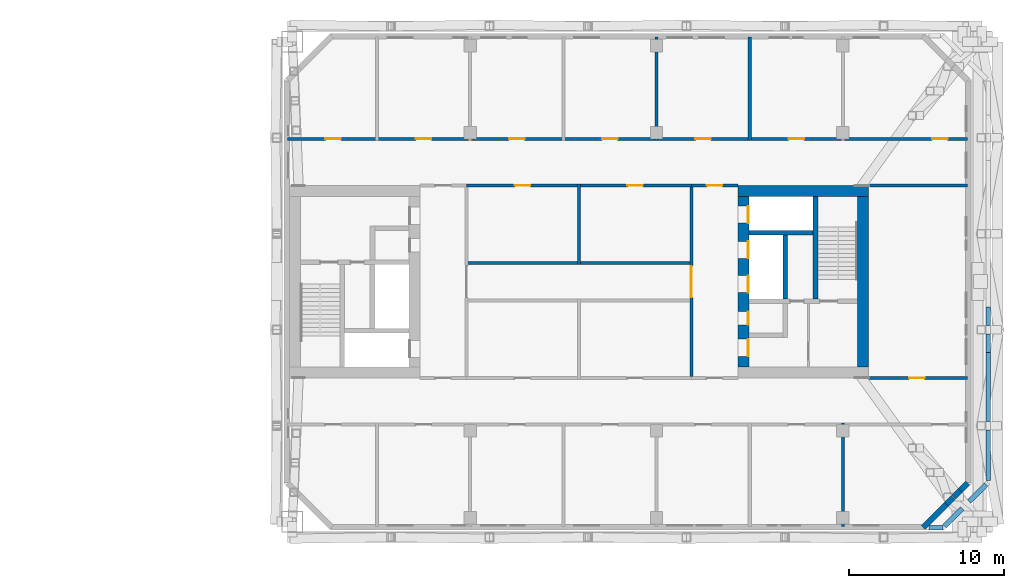
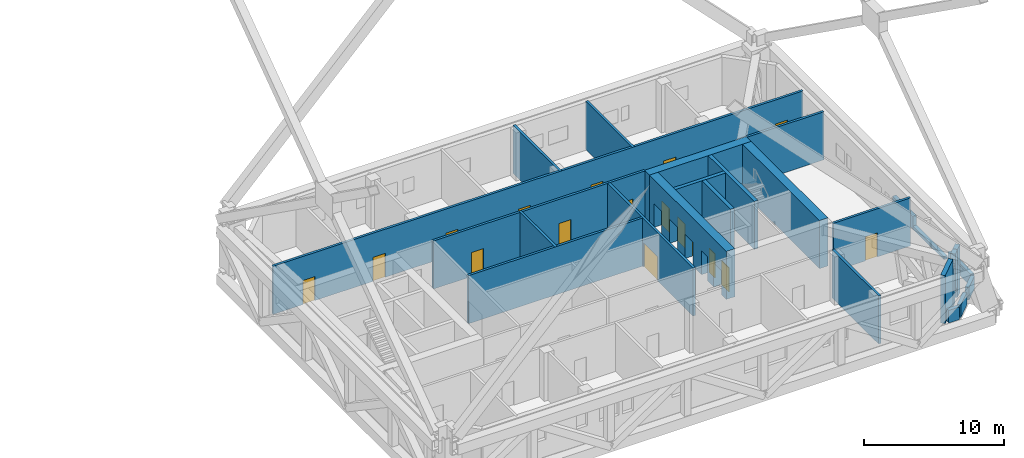
# One storey, part 13 of 20: 28 walls, 17 doors, 17 openings.
"""IFC4 building model written with IfcOpenShell, lengths in metres."""

from ifc_helpers import new_model, si_unit, direction, frame, frame_2d, origin, place, context, subcontext, project, spatial, rectangle, extrude, material, layer, layer_set, type_object, element, fill, save


model = new_model("IFC4")

# Units and contexts
model_context = context("Model", 3, precision=1e-05, world=origin(), true_north=direction((0.0, 1.0)))
body_context = subcontext(model_context, "Body", "Model", "MODEL_VIEW")
ifc_project = project(units=[si_unit("LENGTHUNIT", "METRE"), si_unit("AREAUNIT", "SQUARE_METRE"), si_unit("VOLUMEUNIT", "CUBIC_METRE"), si_unit("PLANEANGLEUNIT", "RADIAN"), si_unit("MASSUNIT", "GRAM", prefix="KILO")], contexts=[model_context])

# Site, building, storey
site_placement = place(None, origin())
site = spatial("IfcSite", under=ifc_project, at=site_placement, CompositionType="ELEMENT")
building_placement = place(site_placement, origin())
building = spatial("IfcBuilding", under=site, at=building_placement, Name="Tuart Gate Housing", CompositionType="ELEMENT")
storey_placement = place(building_placement, frame((0.0, 0.0, 62.89990234375)))
storey = spatial("IfcBuildingStorey", under=building, at=storey_placement, Name="L17", CompositionType="ELEMENT", Elevation=62.89990234375)

# Walls
ifc_material_1 = material(Name="Brick", Category="masonry")
ifc_layer_1 = layer(ifc_material_1, 0.300048828125)
ifc_layer_set_1 = layer_set([ifc_layer_1], Name="Brick parapet wall 300")
wall_type_1 = type_object("IfcWallType", Name="Brick parapet wall 300", PredefinedType="PARAPET", material=ifc_layer_set_1)
wall_1_placement = place(storey_placement, frame((172.550048828125, 54.14990234375, 0.0), z_axis=(0.0, 0.0, 1.0), x_axis=(1.0, 0.0, 0.0)))
element("IfcWall", 1, at=wall_1_placement, inside=storey, type_object=wall_type_1, Name="Roof parapet B 1", PredefinedType="PARAPET", context=body_context, shape_type="SweptSolid", body=[
    extrude(rectangle(XDim=0.887939453125, YDim=0.300048828125, at=frame_2d((0.44384765625, 0.0))), origin(), (0.0, 0.0, 1.0), 1.10009765625),
])
wall_2_placement = place(storey_placement, frame((173.54541015625, 54.257568359375, 0.0), z_axis=(0.0, 0.0, 1.0), x_axis=(0.707106781187, 0.707106781187, 0.0)))
element("IfcWall", 2, at=wall_2_placement, inside=storey, type_object=wall_type_1, Name="Roof parapet B 2", PredefinedType="PARAPET", context=body_context, shape_type="SweptSolid", body=[
    extrude(rectangle(XDim=1.6220703125, YDim=0.300048828125, at=frame_2d((0.81103515625, 0.0))), origin(), (0.0, 0.0, 1.0), 1.10009765625),
])
wall_3_placement = place(storey_placement, frame((175.140625, 55.852783203125, 0.0), z_axis=(0.0, 0.0, 1.0), x_axis=(0.70702751357, 0.707186039918, 0.0)))
element("IfcWall", 3, at=wall_3_placement, inside=storey, type_object=wall_type_1, Name="Roof parapet B 2", PredefinedType="PARAPET", context=body_context, shape_type="SweptSolid", body=[
    extrude(rectangle(XDim=1.5400390625, YDim=0.300048828125, at=frame_2d((0.77001953125, 0.0))), origin(), (0.0, 0.0, 1.0), 1.10009765625),
])
wall_4_placement = place(storey_placement, frame((176.35009765625, 57.214111328125, 0.0), z_axis=(0.0, 0.0, 1.0), x_axis=(0.0, 1.0, 0.0)))
element("IfcWall", 4, at=wall_4_placement, inside=storey, type_object=wall_type_1, Name="Roof parapet B 3", PredefinedType="PARAPET", context=body_context, shape_type="SweptSolid", body=[
    extrude(rectangle(XDim=3.23291015625, YDim=0.300048828125, at=frame_2d((1.616455078125, 0.0))), origin(), (0.0, 0.0, 1.0), 1.0361328125),
])
wall_5_placement = place(storey_placement, frame((176.35009765625, 61.012939453125, 0.0), z_axis=(0.0, 0.0, 1.0), x_axis=(0.0, 1.0, 0.0)))
element("IfcWall", 5, at=wall_5_placement, inside=storey, type_object=wall_type_1, Name="Roof parapet B 3", PredefinedType="PARAPET", context=body_context, shape_type="SweptSolid", body=[
    extrude(rectangle(XDim=4.42822265625, YDim=0.300048828125, at=frame_2d((2.214111328125, 0.0))), origin(), (0.0, 0.0, 1.0), 0.260009765625),
])
for number, where, z_axis, x_axis, name in (
    (6, (176.35009765625, 65.441162109375, 0.0), (0.0, 0.0, 1.0), (0.0, 1.0, 0.0), "Roof parapet B 3"),
    (7, (176.35009765625, 67.193115234375, 0.0), (0.0, 0.0, 1.0), (0.0, 1.0, 0.0), "Roof parapet B 3"),
):
    element("IfcWall", number, at=place(storey_placement, frame(where, z_axis=z_axis, x_axis=x_axis)), inside=storey, type_object=wall_type_1, Name=name, PredefinedType="PARAPET", context=body_context, shape_type="SweptSolid", body=[
        extrude(rectangle(XDim=1.185791015625, YDim=0.300048828125, at=frame_2d((0.5927734375, 0.0))), origin(), (0.0, 0.0, 1.0), 1.10009765625),
    ])
ifc_material_2 = material(Name="Brick", Category="masonry")
ifc_layer_2 = layer(ifc_material_2, 0.360107421875)
ifc_layer_set_2 = layer_set([ifc_layer_2], Name="Brick pier and spandrel wall 360")
wall_type_2 = type_object("IfcWallType", Name="Brick pier and spandrel wall 360", PredefinedType="STANDARD", material=ifc_layer_set_2)
wall_6_placement = place(storey_placement, frame((172.17529296875, 54.179931640625, 0.0), z_axis=(0.0, 0.0, 1.0), x_axis=(0.707106781187, 0.707106781187, 0.0)))
element("IfcWall", 8, at=wall_6_placement, inside=storey, type_object=wall_type_2, Name="External wall B-SE L17", PredefinedType="STANDARD", context=body_context, shape_type="SweptSolid", body=[
    extrude(rectangle(XDim=2.122314453125, YDim=0.360107421875, at=frame_2d((1.06103515625, 0.0))), origin(), (0.0, 0.0, 1.0), 4.2001953125),
])
wall_7_placement = place(storey_placement, frame((173.676025390625, 55.6806640625, 0.0), z_axis=(0.0, 0.0, 1.0), x_axis=(0.707106781187, 0.707106781187, 0.0)))
element("IfcWall", 9, at=wall_7_placement, inside=storey, type_object=wall_type_2, Name="External wall B-SE L17", PredefinedType="STANDARD", context=body_context, shape_type="SweptSolid", body=[
    extrude(rectangle(XDim=0.61328125, YDim=0.360107421875, at=frame_2d((0.306640625, 0.0))), origin(), (0.0, 0.0, 1.0), 3.397216796875),
])
wall_8_placement = place(storey_placement, frame((174.143798828125, 56.148193359375, 0.953125), z_axis=(0.0, 0.0, 1.0), x_axis=(0.706900055054, 0.707313446899, 0.0)))
element("IfcWall", 10, at=wall_8_placement, inside=storey, type_object=wall_type_2, Name="External wall B-SE L17", PredefinedType="STANDARD", context=body_context, shape_type="SweptSolid", body=[
    extrude(rectangle(XDim=0.590576171875, YDim=0.360107421875, at=frame_2d((0.29541015625, 0.0))), origin(), (0.0, 0.0, 1.0), 3.2470703125),
])
wall_9_placement = place(storey_placement, frame((174.561279296875, 56.56591796875, 0.0), z_axis=(0.0, 0.0, 1.0), x_axis=(0.707106781187, 0.707106781187, 0.0)))
element("IfcWall", 11, at=wall_9_placement, inside=storey, type_object=wall_type_2, Name="External wall B-SE L17", PredefinedType="STANDARD", context=body_context, shape_type="SweptSolid", body=[
    extrude(rectangle(XDim=0.66943359375, YDim=0.360107421875, at=frame_2d((0.334716796875, 0.0))), origin(), (0.0, 0.0, 1.0), 4.2001953125),
])
ifc_material_3 = material(Name="Concrete C50", Category="concrete")
ifc_layer_3 = layer(ifc_material_3, 0.300048828125)
ifc_layer_set_3 = layer_set([ifc_layer_3], Name="Core wall 300 C50")
wall_type_3 = type_object("IfcWallType", Name="Core wall 300 C50", PredefinedType="SHEAR", material=ifc_layer_set_3)
wall_10_placement = place(storey_placement, frame((160.93994140625, 73.14990234375, 0.0), z_axis=(0.0, 0.0, 1.0), x_axis=(1.0, 0.0, 0.0)))
element("IfcWall", 12, at=wall_10_placement, inside=storey, type_object=wall_type_3, Name="Core wall BK.1", PredefinedType="SHEAR", context=body_context, shape_type="SweptSolid", body=[
    extrude(rectangle(XDim=4.150146484375, YDim=0.300048828125, at=frame_2d((2.0751953125, 0.0))), origin(), (0.0, 0.0, 1.0), 4.2001953125),
])
wall_11_placement = place(storey_placement, frame((163.2900390625, 73.0, 0.0), z_axis=(0.0, 0.0, 1.0), x_axis=(0.0, -1.0, 0.0)))
element("IfcWall", 13, at=wall_11_placement, inside=storey, type_object=wall_type_3, Name="Core wall BK.4", PredefinedType="SHEAR", context=body_context, shape_type="SweptSolid", body=[
    extrude(rectangle(XDim=4.10009765625, YDim=0.300048828125, at=frame_2d((2.050048828125, 0.0))), origin(), (0.0, 0.0, 1.0), 4.2001953125),
])
wall_12_placement = place(storey_placement, frame((165.239990234375, 75.5, 0.0), z_axis=(0.0, 0.0, 1.0), x_axis=(0.0, -1.0, 0.0)))
element("IfcWall", 14, at=wall_12_placement, inside=storey, type_object=wall_type_3, Name="Core wall BK.7", PredefinedType="SHEAR", context=body_context, shape_type="SweptSolid", body=[
    extrude(rectangle(XDim=6.60009765625, YDim=0.300048828125, at=frame_2d((3.300048828125, 0.0))), origin(), (0.0, 0.0, 1.0), 4.2001953125),
])

# Wall, openings, doors
ifc_material_4 = material(Name="Concrete C50", Category="concrete")
ifc_layer_4 = layer(ifc_material_4, 0.699951171875)
ifc_layer_set_4 = layer_set([ifc_layer_4], Name="Core wall 700 C50")
wall_type_4 = type_object("IfcWallType", Name="Core wall 700 C50", PredefinedType="SHEAR", material=ifc_layer_set_4)
wall_13_placement = place(storey_placement, frame((160.590087890625, 75.5, 0.0), z_axis=(0.0, 0.0, 1.0), x_axis=(0.0, -1.0, 0.0)))
wall_13 = element("IfcWall", 15, at=wall_13_placement, inside=storey, type_object=wall_type_4, Name="Core wall BK front", PredefinedType="SHEAR", context=body_context, shape_type="SweptSolid", body=[
    extrude(rectangle(XDim=11.0, YDim=0.699951171875, at=frame_2d((5.5, 0.0))), origin(), (0.0, 0.0, 1.0), 4.2001953125),
])
opening_1_placement = place(wall_13_placement, frame((0.625, 0.0, 0.0)))
opening_1 = element("IfcOpeningElement", 16, at=opening_1_placement, cuts=wall_13, Name="Opening LD-FB2", PredefinedType="OPENING", context=body_context, shape_type="SweptSolid", body=[
    extrude(rectangle(XDim=1.10009765625, YDim=2.10009765625, at=frame_2d((0.550048828125, 1.050048828125))), frame((0.0, 0.35986328125, 0.0), z_axis=(0.0, -1.0, 0.0), x_axis=(1.0, 0.0, 0.0)), (0.0, 0.0, 1.0), 0.719970703125),
])
opening_2_placement = place(wall_13_placement, frame((2.89990234375, 0.0, 0.0)))
opening_2 = element("IfcOpeningElement", 17, at=opening_2_placement, cuts=wall_13, Name="Opening LD-LB3", PredefinedType="OPENING", context=body_context, shape_type="SweptSolid", body=[
    extrude(rectangle(XDim=1.10009765625, YDim=2.10009765625, at=frame_2d((0.550048828125, 1.050048828125))), frame((0.0, 0.35986328125, 0.0), z_axis=(0.0, -1.0, 0.0), x_axis=(1.0, 0.0, 0.0)), (0.0, 0.0, 1.0), 0.719970703125),
])
opening_3_placement = place(wall_13_placement, frame((5.10009765625, 0.0, 0.0)))
opening_3 = element("IfcOpeningElement", 18, at=opening_3_placement, cuts=wall_13, Name="Opening LD-LB4", PredefinedType="OPENING", context=body_context, shape_type="SweptSolid", body=[
    extrude(rectangle(XDim=1.10009765625, YDim=2.10009765625, at=frame_2d((0.550048828125, 1.050048828125))), frame((0.0, 0.35986328125, 0.0), z_axis=(0.0, -1.0, 0.0), x_axis=(1.0, 0.0, 0.0)), (0.0, 0.0, 1.0), 0.719970703125),
])
opening_4_placement = place(wall_13_placement, frame((9.199951171875, 0.0, 0.0)))
opening_4 = element("IfcOpeningElement", 19, at=opening_4_placement, cuts=wall_13, Name="Opening D3359", PredefinedType="OPENING", context=body_context, shape_type="SweptSolid", body=[
    extrude(rectangle(XDim=1.10009765625, YDim=2.10009765625, at=frame_2d((0.550048828125, 1.050048828125))), frame((0.0, 0.35986328125, 0.0), z_axis=(0.0, -1.0, 0.0), x_axis=(1.0, 0.0, 0.0)), (0.0, 0.0, 1.0), 0.719970703125),
])
opening_5_placement = place(wall_13_placement, frame((7.425048828125, 0.0, 0.0)))
opening_5 = element("IfcOpeningElement", 20, at=opening_5_placement, cuts=wall_13, Name="Opening D3360", PredefinedType="OPENING", context=body_context, shape_type="SweptSolid", body=[
    extrude(rectangle(XDim=0.85009765625, YDim=2.10009765625, at=frame_2d((0.425048828125, 1.050048828125))), frame((0.0, 0.35986328125, 0.0), z_axis=(0.0, -1.0, 0.0), x_axis=(1.0, 0.0, 0.0)), (0.0, 0.0, 1.0), 0.719970703125),
])
ifc_material_5 = material(Name="Stainless steel", Category="steel")
door_type_1 = type_object("IfcDoorType", Name="Landing door 1100 x 2100", OperationType="DOUBLE_DOOR_SLIDING", PredefinedType="DOOR", material=ifc_material_5)
door_1_placement = place(opening_1_placement, origin())
door_1 = element("IfcDoor", 21, at=door_1_placement, inside=storey, type_object=door_type_1, Name="Lift landing door FB2", OperationType="DOUBLE_DOOR_SLIDING", OverallHeight=2.10009765625, OverallWidth=1.10009765625, PredefinedType="DOOR", context=body_context, shape_type="SweptSolid", body=[
    extrude(rectangle(XDim=1.10009765625, YDim=2.10009765625, at=frame_2d((0.550048828125, 1.050048828125))), frame((0.0, 0.3349609375, 0.0), z_axis=(0.0, -1.0, 0.0), x_axis=(1.0, 0.0, 0.0)), (0.0, 0.0, 1.0), 0.050048828125),
])
fill(opening_1, door_1)
door_2_placement = place(opening_2_placement, origin())
door_2 = element("IfcDoor", 22, at=door_2_placement, inside=storey, type_object=door_type_1, Name="Lift landing door LB3", OperationType="DOUBLE_DOOR_SLIDING", OverallHeight=2.10009765625, OverallWidth=1.10009765625, PredefinedType="DOOR", context=body_context, shape_type="SweptSolid", body=[
    extrude(rectangle(XDim=1.10009765625, YDim=2.10009765625, at=frame_2d((0.550048828125, 1.050048828125))), frame((0.0, 0.3349609375, 0.0), z_axis=(0.0, -1.0, 0.0), x_axis=(1.0, 0.0, 0.0)), (0.0, 0.0, 1.0), 0.050048828125),
])
fill(opening_2, door_2)
door_3_placement = place(opening_3_placement, origin())
door_3 = element("IfcDoor", 23, at=door_3_placement, inside=storey, type_object=door_type_1, Name="Lift landing door LB4", OperationType="DOUBLE_DOOR_SLIDING", OverallHeight=2.10009765625, OverallWidth=1.10009765625, PredefinedType="DOOR", context=body_context, shape_type="SweptSolid", body=[
    extrude(rectangle(XDim=1.10009765625, YDim=2.10009765625, at=frame_2d((0.550048828125, 1.050048828125))), frame((0.0, 0.3349609375, 0.0), z_axis=(0.0, -1.0, 0.0), x_axis=(1.0, 0.0, 0.0)), (0.0, 0.0, 1.0), 0.050048828125),
])
fill(opening_3, door_3)
ifc_material_6 = material(Name="Steel fire door", Category="steel")
door_type_2 = type_object("IfcDoorType", Name="Lobby door 1100 x 2100", OperationType="SINGLE_SWING_LEFT", PredefinedType="DOOR", material=ifc_material_6)
door_4_placement = place(opening_4_placement, origin())
door_4 = element("IfcDoor", 24, at=door_4_placement, inside=storey, type_object=door_type_2, Name="Lobby entry door BK.EN", OperationType="SINGLE_SWING_LEFT", OverallHeight=2.10009765625, OverallWidth=1.10009765625, PredefinedType="DOOR", context=body_context, shape_type="SweptSolid", body=[
    extrude(rectangle(XDim=1.10009765625, YDim=2.10009765625, at=frame_2d((0.550048828125, 1.050048828125))), frame((0.0, 0.3349609375, 0.0), z_axis=(0.0, -1.0, 0.0), x_axis=(1.0, 0.0, 0.0)), (0.0, 0.0, 1.0), 0.050048828125),
])
fill(opening_4, door_4)
ifc_material_7 = material(Name="Steel fire door", Category="steel")
door_type_3 = type_object("IfcDoorType", Name="Service door 850 x 2100", OperationType="SINGLE_SWING_LEFT", PredefinedType="DOOR", material=ifc_material_7)
door_5_placement = place(opening_5_placement, origin())
door_5 = element("IfcDoor", 25, at=door_5_placement, inside=storey, type_object=door_type_3, Name="Service room door BK.T1", OperationType="SINGLE_SWING_LEFT", OverallHeight=2.10009765625, OverallWidth=0.85009765625, PredefinedType="DOOR", context=body_context, shape_type="SweptSolid", body=[
    extrude(rectangle(XDim=0.85009765625, YDim=2.10009765625, at=frame_2d((0.425048828125, 1.050048828125))), frame((0.0, 0.3349609375, 0.0), z_axis=(0.0, -1.0, 0.0), x_axis=(1.0, 0.0, 0.0)), (0.0, 0.0, 1.0), 0.050048828125),
])
fill(opening_5, door_5)

# Walls
wall_14_placement = place(storey_placement, frame((168.2900390625, 75.5, 0.0), z_axis=(0.0, 0.0, 1.0), x_axis=(0.0, -1.0, 0.0)))
element("IfcWall", 26, at=wall_14_placement, inside=storey, type_object=wall_type_4, Name="Core wall BK back", PredefinedType="SHEAR", context=body_context, shape_type="SweptSolid", body=[
    extrude(rectangle(XDim=11.0, YDim=0.699951171875, at=frame_2d((5.5, 0.0))), origin(), (0.0, 0.0, 1.0), 4.2001953125),
])
wall_15_placement = place(storey_placement, frame((160.239990234375, 75.85009765625, 0.0), z_axis=(0.0, 0.0, 1.0), x_axis=(1.0, 0.0, 0.0)))
element("IfcWall", 27, at=wall_15_placement, inside=storey, type_object=wall_type_4, Name="Core wall BK south", PredefinedType="SHEAR", context=body_context, shape_type="SweptSolid", body=[
    extrude(rectangle(XDim=8.39990234375, YDim=0.699951171875, at=frame_2d((4.199951171875, 0.0))), origin(), (0.0, 0.0, 1.0), 4.2001953125),
])

# Wall, opening, door
ifc_material_8 = material(Name="Concrete masonry 15 MPa", Category="masonry")
ifc_layer_5 = layer(ifc_material_8, 0.199951171875)
ifc_layer_set_5 = layer_set([ifc_layer_5], Name="Enclosure wall masonry 200")
wall_type_5 = type_object("IfcWallType", Name="Enclosure wall masonry 200", PredefinedType="PARTITIONING", material=ifc_layer_set_5)
wall_16_placement = place(storey_placement, frame((168.639892578125, 63.800048828125, 0.0), z_axis=(0.0, 0.0, 1.0), x_axis=(1.0, 0.0, 0.0)))
wall_16 = element("IfcWall", 28, at=wall_16_placement, inside=storey, type_object=wall_type_5, Name="Enclosure wall masonry 200", PredefinedType="PARTITIONING", context=body_context, shape_type="SweptSolid", body=[
    extrude(rectangle(XDim=6.3701171875, YDim=0.199951171875, at=frame_2d((3.18505859375, 0.0))), origin(), (0.0, 0.0, 1.0), 4.2001953125),
])
opening_6_placement = place(wall_16_placement, frame((2.625, 0.0, 0.0)))
opening_6 = element("IfcOpeningElement", 29, at=opening_6_placement, cuts=wall_16, Name="Opening D3368", PredefinedType="OPENING", context=body_context, shape_type="SweptSolid", body=[
    extrude(rectangle(XDim=1.0, YDim=2.10009765625, at=frame_2d((0.5, 1.050048828125))), frame((0.0, 0.10986328125, 0.0), z_axis=(0.0, -1.0, 0.0), x_axis=(1.0, 0.0, 0.0)), (0.0, 0.0, 1.0), 0.219970703125),
])
ifc_material_9 = material(Name="Timber door leaf in steel frame", Category="steel")
door_type_4 = type_object("IfcDoorType", Name="Fire door 1000", OperationType="SINGLE_SWING_LEFT", PredefinedType="DOOR", material=ifc_material_9)
door_6_placement = place(opening_6_placement, origin())
door_6 = element("IfcDoor", 30, at=door_6_placement, inside=storey, type_object=door_type_4, Name="Fire door 1000", OperationType="SINGLE_SWING_LEFT", OverallHeight=2.10009765625, OverallWidth=1.0, PredefinedType="DOOR", context=body_context, shape_type="SweptSolid", body=[
    extrude(rectangle(XDim=1.0, YDim=2.10009765625, at=frame_2d((0.5, 1.050048828125))), frame((0.0, 0.02490234375, 0.0), z_axis=(0.0, -1.0, 0.0), x_axis=(1.0, 0.0, 0.0)), (0.0, 0.0, 1.0), 0.050048828125),
])
fill(opening_6, door_6)

# Wall
wall_17_placement = place(storey_placement, frame((142.760009765625, 71.199951171875, 0.0), z_axis=(0.0, 0.0, 1.0), x_axis=(1.0, 0.0, 0.0)))
element("IfcWall", 31, at=wall_17_placement, inside=storey, type_object=wall_type_5, Name="Enclosure wall masonry 200", PredefinedType="PARTITIONING", context=body_context, shape_type="SweptSolid", body=[
    extrude(rectangle(XDim=14.47998046875, YDim=0.199951171875, at=frame_2d((7.239990234375, 0.0))), origin(), (0.0, 0.0, 1.0), 4.2001953125),
])

# Wall, openings, doors
wall_18_placement = place(storey_placement, frame((142.760009765625, 76.199951171875, 0.0), z_axis=(0.0, 0.0, 1.0), x_axis=(1.0, 0.0, 0.0)))
wall_18 = element("IfcWall", 32, at=wall_18_placement, inside=storey, type_object=wall_type_5, Name="Enclosure wall masonry 200", PredefinedType="PARTITIONING", context=body_context, shape_type="SweptSolid", body=[
    extrude(rectangle(XDim=14.47998046875, YDim=0.199951171875, at=frame_2d((7.239990234375, 0.0))), origin(), (0.0, 0.0, 1.0), 4.2001953125),
])
opening_7_placement = place(wall_18_placement, frame((3.1201171875, 0.0, 0.0)))
opening_7 = element("IfcOpeningElement", 33, at=opening_7_placement, cuts=wall_18, Name="Opening D3350", PredefinedType="OPENING", context=body_context, shape_type="SweptSolid", body=[
    extrude(rectangle(XDim=1.0, YDim=2.10009765625, at=frame_2d((0.5, 1.050048828125))), frame((0.0, 0.10986328125, 0.0), z_axis=(0.0, -1.0, 0.0), x_axis=(1.0, 0.0, 0.0)), (0.0, 0.0, 1.0), 0.219970703125),
])
opening_8_placement = place(wall_18_placement, frame((10.360107421875, 0.0, 0.0)))
opening_8 = element("IfcOpeningElement", 34, at=opening_8_placement, cuts=wall_18, Name="Opening D3351", PredefinedType="OPENING", context=body_context, shape_type="SweptSolid", body=[
    extrude(rectangle(XDim=1.0, YDim=2.10009765625, at=frame_2d((0.5, 1.050048828125))), frame((0.0, 0.10986328125, 0.0), z_axis=(0.0, -1.0, 0.0), x_axis=(1.0, 0.0, 0.0)), (0.0, 0.0, 1.0), 0.219970703125),
])
ifc_material_10 = material(Name="Timber door leaf in steel frame", Category="steel")
door_type_5 = type_object("IfcDoorType", Name="Fire door 1000 RH", OperationType="SINGLE_SWING_RIGHT", PredefinedType="DOOR", material=ifc_material_10)
door_7_placement = place(opening_7_placement, frame((1.0, 0.0, 0.0), z_axis=(0.0, 0.0, 1.0), x_axis=(-1.0, 0.0, 0.0)))
door_7 = element("IfcDoor", 35, at=door_7_placement, inside=storey, type_object=door_type_5, Name="Fire door 1000", OperationType="SINGLE_SWING_RIGHT", OverallHeight=2.10009765625, OverallWidth=1.0, PredefinedType="DOOR", context=body_context, shape_type="SweptSolid", body=[
    extrude(rectangle(XDim=1.0, YDim=2.10009765625, at=frame_2d((0.5, 1.050048828125))), frame((0.0, 0.025146484375, 0.0), z_axis=(0.0, -1.0, 0.0), x_axis=(1.0, 0.0, 0.0)), (0.0, 0.0, 1.0), 0.050048828125),
])
fill(opening_7, door_7)
door_8_placement = place(opening_8_placement, frame((1.0, 0.0, 0.0), z_axis=(0.0, 0.0, 1.0), x_axis=(-1.0, 0.0, 0.0)))
door_8 = element("IfcDoor", 36, at=door_8_placement, inside=storey, type_object=door_type_5, Name="Fire door 1000", OperationType="SINGLE_SWING_RIGHT", OverallHeight=2.10009765625, OverallWidth=1.0, PredefinedType="DOOR", context=body_context, shape_type="SweptSolid", body=[
    extrude(rectangle(XDim=1.0, YDim=2.10009765625, at=frame_2d((0.5, 1.050048828125))), frame((0.0, 0.025146484375, 0.0), z_axis=(0.0, -1.0, 0.0), x_axis=(1.0, 0.0, 0.0)), (0.0, 0.0, 1.0), 0.050048828125),
])
fill(opening_8, door_8)

# Wall
wall_19_placement = place(storey_placement, frame((168.639892578125, 76.199951171875, 0.0), z_axis=(0.0, 0.0, 1.0), x_axis=(1.0, 0.0, 0.0)))
element("IfcWall", 37, at=wall_19_placement, inside=storey, type_object=wall_type_5, Name="Enclosure wall masonry 200", PredefinedType="PARTITIONING", context=body_context, shape_type="SweptSolid", body=[
    extrude(rectangle(XDim=6.3701171875, YDim=0.199951171875, at=frame_2d((3.18505859375, 0.0))), origin(), (0.0, 0.0, 1.0), 4.2001953125),
])

# Wall, opening, door
wall_20_placement = place(storey_placement, frame((157.239990234375, 76.199951171875, 0.0), z_axis=(0.0, 0.0, 1.0), x_axis=(1.0, 0.0, 0.0)))
wall_20 = element("IfcWall", 38, at=wall_20_placement, inside=storey, type_object=wall_type_5, Name="Enclosure wall masonry 200", PredefinedType="PARTITIONING", context=body_context, shape_type="SweptSolid", body=[
    extrude(rectangle(XDim=3.0, YDim=0.199951171875, at=frame_2d((1.5, 0.0))), origin(), (0.0, 0.0, 1.0), 4.2001953125),
])
opening_9_placement = place(wall_20_placement, frame((1.0, 0.0, 0.0)))
opening_9 = element("IfcOpeningElement", 39, at=opening_9_placement, cuts=wall_20, Name="Opening D3352", PredefinedType="OPENING", context=body_context, shape_type="SweptSolid", body=[
    extrude(rectangle(XDim=1.0, YDim=2.10009765625, at=frame_2d((0.5, 1.050048828125))), frame((0.0, 0.10986328125, 0.0), z_axis=(0.0, -1.0, 0.0), x_axis=(1.0, 0.0, 0.0)), (0.0, 0.0, 1.0), 0.219970703125),
])
ifc_material_11 = material(Name="Timber door leaf in steel frame", Category="steel")
door_type_6 = type_object("IfcDoorType", Name="Lobby door 1000 RH", OperationType="SINGLE_SWING_RIGHT", PredefinedType="DOOR", material=ifc_material_11)
door_9_placement = place(opening_9_placement, frame((1.0, 0.0, 0.0), z_axis=(0.0, 0.0, 1.0), x_axis=(-1.0, 0.0, 0.0)))
door_9 = element("IfcDoor", 40, at=door_9_placement, inside=storey, type_object=door_type_6, Name="Lobby door 1000", OperationType="SINGLE_SWING_RIGHT", OverallHeight=2.10009765625, OverallWidth=1.0, PredefinedType="DOOR", context=body_context, shape_type="SweptSolid", body=[
    extrude(rectangle(XDim=1.0, YDim=2.10009765625, at=frame_2d((0.5, 1.050048828125))), frame((0.0, 0.025146484375, 0.0), z_axis=(0.0, -1.0, 0.0), x_axis=(1.0, 0.0, 0.0)), (0.0, 0.0, 1.0), 0.050048828125),
])
fill(opening_9, door_9)

# Wall, openings, doors
wall_21_placement = place(storey_placement, frame((131.239990234375, 79.199951171875, 0.0), z_axis=(0.0, 0.0, 1.0), x_axis=(1.0, 0.0, 0.0)))
wall_21 = element("IfcWall", 41, at=wall_21_placement, inside=storey, type_object=wall_type_5, Name="Enclosure wall masonry 200", PredefinedType="PARTITIONING", context=body_context, shape_type="SweptSolid", body=[
    extrude(rectangle(XDim=43.77001953125, YDim=0.199951171875, at=frame_2d((21.885009765625, 0.0))), origin(), (0.0, 0.0, 1.0), 4.2001953125),
])
opening_10_placement = place(wall_21_placement, frame((2.43994140625, 0.0, 0.0)))
opening_10 = element("IfcOpeningElement", 42, at=opening_10_placement, cuts=wall_21, Name="Opening D3342", PredefinedType="OPENING", context=body_context, shape_type="SweptSolid", body=[
    extrude(rectangle(XDim=1.0, YDim=2.10009765625, at=frame_2d((0.5, 1.050048828125))), frame((0.0, 0.10986328125, 0.0), z_axis=(0.0, -1.0, 0.0), x_axis=(1.0, 0.0, 0.0)), (0.0, 0.0, 1.0), 0.219970703125),
])
opening_11_placement = place(wall_21_placement, frame((8.260009765625, 0.0, 0.0)))
opening_11 = element("IfcOpeningElement", 43, at=opening_11_placement, cuts=wall_21, Name="Opening D3343", PredefinedType="OPENING", context=body_context, shape_type="SweptSolid", body=[
    extrude(rectangle(XDim=1.0, YDim=2.10009765625, at=frame_2d((0.5, 1.050048828125))), frame((0.0, 0.10986328125, 0.0), z_axis=(0.0, -1.0, 0.0), x_axis=(1.0, 0.0, 0.0)), (0.0, 0.0, 1.0), 0.219970703125),
])
opening_12_placement = place(wall_21_placement, frame((14.260009765625, 0.0, 0.0)))
opening_12 = element("IfcOpeningElement", 44, at=opening_12_placement, cuts=wall_21, Name="Opening D3344", PredefinedType="OPENING", context=body_context, shape_type="SweptSolid", body=[
    extrude(rectangle(XDim=1.0, YDim=2.10009765625, at=frame_2d((0.5, 1.050048828125))), frame((0.0, 0.10986328125, 0.0), z_axis=(0.0, -1.0, 0.0), x_axis=(1.0, 0.0, 0.0)), (0.0, 0.0, 1.0), 0.219970703125),
])
opening_13_placement = place(wall_21_placement, frame((20.260009765625, 0.0, 0.0)))
opening_13 = element("IfcOpeningElement", 45, at=opening_13_placement, cuts=wall_21, Name="Opening D3345", PredefinedType="OPENING", context=body_context, shape_type="SweptSolid", body=[
    extrude(rectangle(XDim=1.0, YDim=2.10009765625, at=frame_2d((0.5, 1.050048828125))), frame((0.0, 0.10986328125, 0.0), z_axis=(0.0, -1.0, 0.0), x_axis=(1.0, 0.0, 0.0)), (0.0, 0.0, 1.0), 0.219970703125),
])
opening_14_placement = place(wall_21_placement, frame((26.260009765625, 0.0, 0.0)))
opening_14 = element("IfcOpeningElement", 46, at=opening_14_placement, cuts=wall_21, Name="Opening D3346", PredefinedType="OPENING", context=body_context, shape_type="SweptSolid", body=[
    extrude(rectangle(XDim=1.0, YDim=2.10009765625, at=frame_2d((0.5, 1.050048828125))), frame((0.0, 0.10986328125, 0.0), z_axis=(0.0, -1.0, 0.0), x_axis=(1.0, 0.0, 0.0)), (0.0, 0.0, 1.0), 0.219970703125),
])
opening_15_placement = place(wall_21_placement, frame((32.260009765625, 0.0, 0.0)))
opening_15 = element("IfcOpeningElement", 47, at=opening_15_placement, cuts=wall_21, Name="Opening D3347", PredefinedType="OPENING", context=body_context, shape_type="SweptSolid", body=[
    extrude(rectangle(XDim=1.0, YDim=2.10009765625, at=frame_2d((0.5, 1.050048828125))), frame((0.0, 0.10986328125, 0.0), z_axis=(0.0, -1.0, 0.0), x_axis=(1.0, 0.0, 0.0)), (0.0, 0.0, 1.0), 0.219970703125),
])
opening_16_placement = place(wall_21_placement, frame((41.5048828125, 0.0, 0.0)))
opening_16 = element("IfcOpeningElement", 48, at=opening_16_placement, cuts=wall_21, Name="Opening D3348", PredefinedType="OPENING", context=body_context, shape_type="SweptSolid", body=[
    extrude(rectangle(XDim=1.0, YDim=2.10009765625, at=frame_2d((0.5, 1.050048828125))), frame((0.0, 0.10986328125, 0.0), z_axis=(0.0, -1.0, 0.0), x_axis=(1.0, 0.0, 0.0)), (0.0, 0.0, 1.0), 0.219970703125),
])
door_10_placement = place(opening_10_placement, origin())
door_10 = element("IfcDoor", 49, at=door_10_placement, inside=storey, type_object=door_type_4, Name="Fire door 1000", OperationType="SINGLE_SWING_LEFT", OverallHeight=2.10009765625, OverallWidth=1.0, PredefinedType="DOOR", context=body_context, shape_type="SweptSolid", body=[
    extrude(rectangle(XDim=1.0, YDim=2.10009765625, at=frame_2d((0.5, 1.050048828125))), frame((0.0, 0.02490234375, 0.0), z_axis=(0.0, -1.0, 0.0), x_axis=(1.0, 0.0, 0.0)), (0.0, 0.0, 1.0), 0.050048828125),
])
fill(opening_10, door_10)
door_11_placement = place(opening_11_placement, origin())
door_11 = element("IfcDoor", 50, at=door_11_placement, inside=storey, type_object=door_type_4, Name="Fire door 1000", OperationType="SINGLE_SWING_LEFT", OverallHeight=2.10009765625, OverallWidth=1.0, PredefinedType="DOOR", context=body_context, shape_type="SweptSolid", body=[
    extrude(rectangle(XDim=1.0, YDim=2.10009765625, at=frame_2d((0.5, 1.050048828125))), frame((0.0, 0.02490234375, 0.0), z_axis=(0.0, -1.0, 0.0), x_axis=(1.0, 0.0, 0.0)), (0.0, 0.0, 1.0), 0.050048828125),
])
fill(opening_11, door_11)
door_12_placement = place(opening_12_placement, origin())
door_12 = element("IfcDoor", 51, at=door_12_placement, inside=storey, type_object=door_type_4, Name="Fire door 1000", OperationType="SINGLE_SWING_LEFT", OverallHeight=2.10009765625, OverallWidth=1.0, PredefinedType="DOOR", context=body_context, shape_type="SweptSolid", body=[
    extrude(rectangle(XDim=1.0, YDim=2.10009765625, at=frame_2d((0.5, 1.050048828125))), frame((0.0, 0.02490234375, 0.0), z_axis=(0.0, -1.0, 0.0), x_axis=(1.0, 0.0, 0.0)), (0.0, 0.0, 1.0), 0.050048828125),
])
fill(opening_12, door_12)
door_13_placement = place(opening_13_placement, origin())
door_13 = element("IfcDoor", 52, at=door_13_placement, inside=storey, type_object=door_type_4, Name="Fire door 1000", OperationType="SINGLE_SWING_LEFT", OverallHeight=2.10009765625, OverallWidth=1.0, PredefinedType="DOOR", context=body_context, shape_type="SweptSolid", body=[
    extrude(rectangle(XDim=1.0, YDim=2.10009765625, at=frame_2d((0.5, 1.050048828125))), frame((0.0, 0.02490234375, 0.0), z_axis=(0.0, -1.0, 0.0), x_axis=(1.0, 0.0, 0.0)), (0.0, 0.0, 1.0), 0.050048828125),
])
fill(opening_13, door_13)
door_14_placement = place(opening_14_placement, origin())
door_14 = element("IfcDoor", 53, at=door_14_placement, inside=storey, type_object=door_type_4, Name="Fire door 1000", OperationType="SINGLE_SWING_LEFT", OverallHeight=2.10009765625, OverallWidth=1.0, PredefinedType="DOOR", context=body_context, shape_type="SweptSolid", body=[
    extrude(rectangle(XDim=1.0, YDim=2.10009765625, at=frame_2d((0.5, 1.050048828125))), frame((0.0, 0.02490234375, 0.0), z_axis=(0.0, -1.0, 0.0), x_axis=(1.0, 0.0, 0.0)), (0.0, 0.0, 1.0), 0.050048828125),
])
fill(opening_14, door_14)
door_15_placement = place(opening_15_placement, origin())
door_15 = element("IfcDoor", 54, at=door_15_placement, inside=storey, type_object=door_type_4, Name="Fire door 1000", OperationType="SINGLE_SWING_LEFT", OverallHeight=2.10009765625, OverallWidth=1.0, PredefinedType="DOOR", context=body_context, shape_type="SweptSolid", body=[
    extrude(rectangle(XDim=1.0, YDim=2.10009765625, at=frame_2d((0.5, 1.050048828125))), frame((0.0, 0.02490234375, 0.0), z_axis=(0.0, -1.0, 0.0), x_axis=(1.0, 0.0, 0.0)), (0.0, 0.0, 1.0), 0.050048828125),
])
fill(opening_15, door_15)
door_16_placement = place(opening_16_placement, origin())
door_16 = element("IfcDoor", 55, at=door_16_placement, inside=storey, type_object=door_type_5, Name="Fire door 1000", OperationType="SINGLE_SWING_RIGHT", OverallHeight=2.10009765625, OverallWidth=1.0, PredefinedType="DOOR", context=body_context, shape_type="SweptSolid", body=[
    extrude(rectangle(XDim=1.0, YDim=2.10009765625, at=frame_2d((0.5, 1.050048828125))), frame((0.0, 0.02490234375, 0.0), z_axis=(0.0, -1.0, 0.0), x_axis=(1.0, 0.0, 0.0)), (0.0, 0.0, 1.0), 0.050048828125),
])
fill(opening_16, door_16)

# Walls
wall_22_placement = place(storey_placement, frame((150.0, 71.10009765625, 0.0), z_axis=(0.0, 0.0, 1.0), x_axis=(0.0, 1.0, 0.0)))
element("IfcWall", 56, at=wall_22_placement, inside=storey, type_object=wall_type_5, Name="Enclosure wall masonry 200", PredefinedType="PARTITIONING", context=body_context, shape_type="SweptSolid", body=[
    extrude(rectangle(XDim=5.199951171875, YDim=0.199951171875, at=frame_2d((2.60009765625, 0.0))), origin(), (0.0, 0.0, 1.0), 4.2001953125),
])
for number, where, z_axis, x_axis, name in (
    (57, (155.0, 79.10009765625, 0.0), (0.0, 0.0, 1.0), (0.0, 1.0, 0.0), "Enclosure wall masonry 200"),
    (58, (161.0, 79.10009765625, 0.0), (0.0, 0.0, 1.0), (0.0, 1.0, 0.0), "Enclosure wall masonry 200"),
    (59, (167.0, 54.239990234375, 0.0), (0.0, 0.0, 1.0), (0.0, 1.0, 0.0), "Enclosure wall masonry 200"),
):
    element("IfcWall", number, at=place(storey_placement, frame(where, z_axis=z_axis, x_axis=x_axis)), inside=storey, type_object=wall_type_5, Name=name, PredefinedType="PARTITIONING", context=body_context, shape_type="SweptSolid", body=[
        extrude(rectangle(XDim=6.659912109375, YDim=0.199951171875, at=frame_2d((3.330078125, 0.0))), origin(), (0.0, 0.0, 1.0), 4.2001953125),
    ])

# Wall, opening, door
ifc_material_12 = material(Name="Plasterboard partition")
ifc_layer_6 = layer(ifc_material_12, 0.199951171875)
ifc_layer_set_6 = layer_set([ifc_layer_6], Name="Lobby wall 200")
wall_type_6 = type_object("IfcWallType", Name="Lobby wall 200", PredefinedType="PARTITIONING", material=ifc_layer_set_6)
wall_23_placement = place(storey_placement, frame((157.239990234375, 63.89990234375, 0.0), z_axis=(0.0, 0.0, 1.0), x_axis=(0.0, 1.0, 0.0)))
wall_23 = element("IfcWall", 60, at=wall_23_placement, inside=storey, type_object=wall_type_6, Name="Lift lobby wall BK", PredefinedType="PARTITIONING", context=body_context, shape_type="SweptSolid", body=[
    extrude(rectangle(XDim=12.2001953125, YDim=0.199951171875, at=frame_2d((6.10009765625, 0.0))), origin(), (0.0, 0.0, 1.0), 4.2001953125),
])
opening_17_placement = place(wall_23_placement, frame((5.10009765625, 0.0, 0.0)))
opening_17 = element("IfcOpeningElement", 61, at=opening_17_placement, cuts=wall_23, Name="Opening D3358", PredefinedType="OPENING", context=body_context, shape_type="SweptSolid", body=[
    extrude(rectangle(XDim=2.0, YDim=2.10009765625, at=frame_2d((1.0, 1.050048828125))), frame((0.0, 0.10986328125, 0.0), z_axis=(0.0, -1.0, 0.0), x_axis=(1.0, 0.0, 0.0)), (0.0, 0.0, 1.0), 0.219970703125),
])
ifc_material_13 = material(Name="Steel fire door", Category="steel")
door_type_7 = type_object("IfcDoorType", Name="Smoke door 2000 x 2100", OperationType="DOUBLE_DOOR_SINGLE_SWING", PredefinedType="DOOR", material=ifc_material_13)
door_17_placement = place(opening_17_placement, frame((2.0, 0.0, 0.0), z_axis=(0.0, 0.0, 1.0), x_axis=(-1.0, 0.0, 0.0)))
door_17 = element("IfcDoor", 62, at=door_17_placement, inside=storey, type_object=door_type_7, Name="Lift lobby smoke door BK", OperationType="DOUBLE_DOOR_SINGLE_SWING", OverallHeight=2.10009765625, OverallWidth=2.0, PredefinedType="DOOR", context=body_context, shape_type="SweptSolid", body=[
    extrude(rectangle(XDim=2.0, YDim=2.10009765625, at=frame_2d((1.0, 1.050048828125))), frame((0.0, 0.025146484375, 0.0), z_axis=(0.0, -1.0, 0.0), x_axis=(1.0, 0.0, 0.0)), (0.0, 0.0, 1.0), 0.050048828125),
])
fill(opening_17, door_17)

save(model, "model.ifc")
